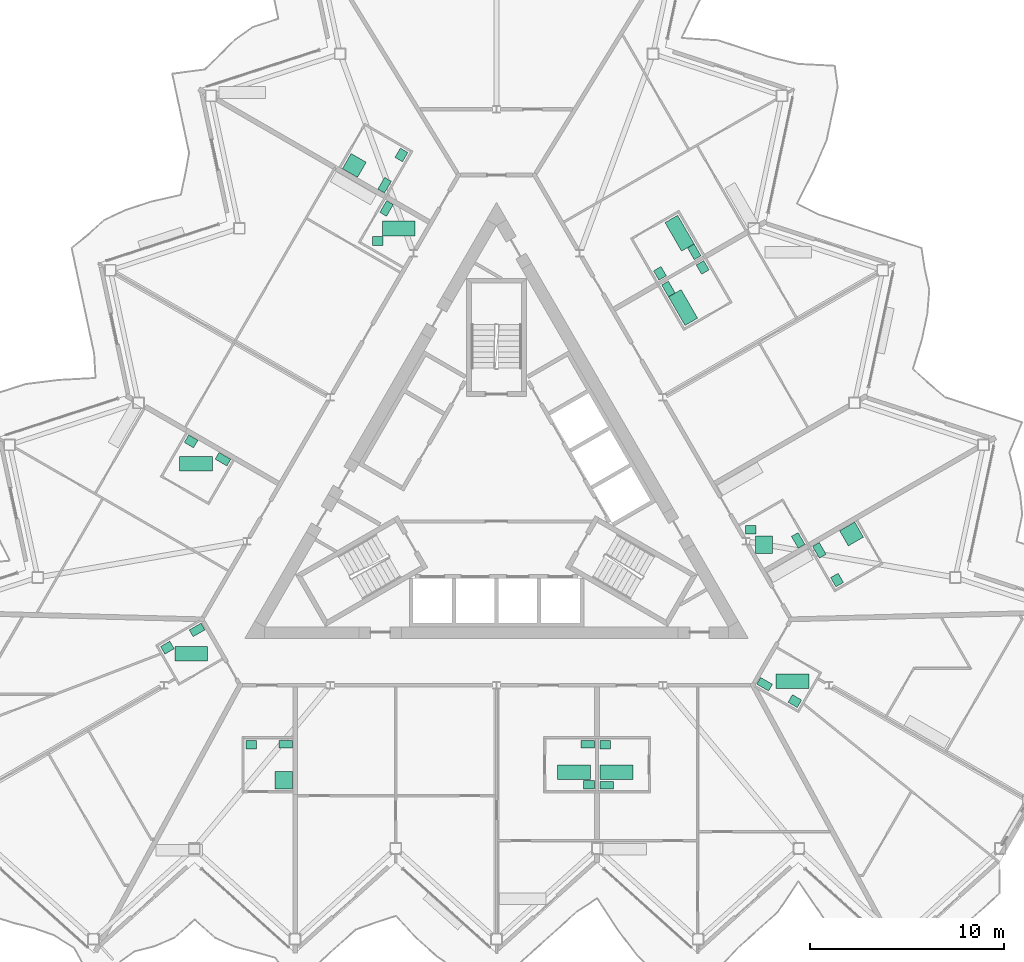
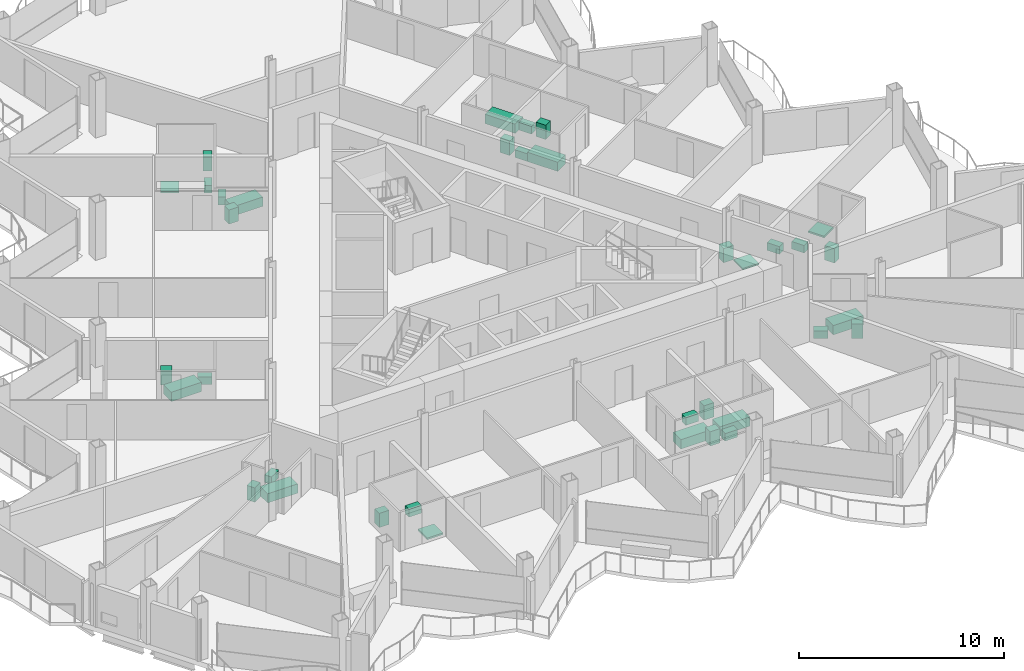
# One storey, part 27 of 28: 36 sanitary terminals.
"""IFC4 building model written with IfcOpenShell, lengths in metres."""

import ifcopenshell
import ifcopenshell.guid

model = None  # the IFC model being written
_history = None  # IfcOwnerHistory: only IFC2X3 demands one
_inside = {}  # id of a spatial element -> (the spatial element, [elements in it])
_under = {}  # id of a project, library or spatial element -> (it, [spatial elements below it])
_declared = {}  # id of a project -> (the project, [libraries it declares])
_typed = {}  # id of a type object -> (the type object, [elements of that type])
_made_of = {}  # id of a material, layer set ... -> (it, [elements and type objects made of it])


def new_model(schema):
    """Start an empty IFC model of exactly this schema.

    Asked for "IFC4X3", IfcOpenShell would pick the latest addendum, in which some entities
    have other attributes; the version numbers below select the first issue.
    IFC2X3 requires an IfcOwnerHistory on every rooted entity: one is made here for all.
    """
    global model, _history
    if schema == "IFC4X3":
        model = ifcopenshell.file(schema_version=(4, 3, 0, 0))
    else:
        model = ifcopenshell.file(schema=schema)
    _inside.clear()
    _under.clear()
    _declared.clear()
    _typed.clear()
    _made_of.clear()
    _history = None
    if model.schema == "IFC2X3":
        org = make("IfcOrganization", Name="unknown")
        user = make(
            "IfcPersonAndOrganization",
            ThePerson=make("IfcPerson", FamilyName="unknown"),
            TheOrganization=org,
        )
        app = make(
            "IfcApplication",
            ApplicationDeveloper=org,
            Version="unknown",
            ApplicationFullName="unknown",
            ApplicationIdentifier="unknown",
        )
        _history = make(
            "IfcOwnerHistory",
            OwningUser=user,
            OwningApplication=app,
            ChangeAction="ADDED",
            CreationDate=0,
        )
    return model


def make(cls, **values):
    """One entity of the class cls with the attributes given. An attribute that is None is left unset."""
    return model.create_entity(
        cls, **{name: value for name, value in values.items() if value is not None}
    )


def rooted(cls, **values):
    """An entity with a GlobalId (a new one), such as an element, a storey or a relation."""
    return make(cls, GlobalId=ifcopenshell.guid.new(), OwnerHistory=_history, **values)


def si_unit(unit_type, name, prefix=None):
    """IfcSIUnit, for example si_unit("LENGTHUNIT", "METRE", prefix="MILLI")."""
    return make("IfcSIUnit", UnitType=unit_type, Prefix=prefix, Name=name)


def assignment(units):
    """IfcUnitAssignment: the units of a project."""
    return None if units is None else make("IfcUnitAssignment", Units=units)


def point(xyz):
    """IfcCartesianPoint."""
    return None if xyz is None else make("IfcCartesianPoint", Coordinates=xyz)


def direction(xyz):
    """IfcDirection."""
    return None if xyz is None else make("IfcDirection", DirectionRatios=xyz)


def frame(location, z_axis=None, x_axis=None):
    """IfcAxis2Placement3D, a coordinate frame: its origin and axes. An axis left out is left unset."""
    return make(
        "IfcAxis2Placement3D",
        Location=point(location),
        Axis=direction(z_axis),
        RefDirection=direction(x_axis),
    )


def frame_2d(location, x_axis=None):
    """IfcAxis2Placement2D, a coordinate frame in the plane: its origin and x axis."""
    return make(
        "IfcAxis2Placement2D", Location=point(location), RefDirection=direction(x_axis)
    )


def origin():
    """The frame at (0, 0, 0) with its axes left unset."""
    return frame((0.0, 0.0, 0.0))


def origin_2d():
    """The frame at (0, 0) in the plane with its x axis left unset."""
    return frame_2d((0.0, 0.0))


def place(relative_to, where):
    """IfcLocalPlacement: puts the frame where relative to a parent placement (None: the world)."""
    return make(
        "IfcLocalPlacement", PlacementRelTo=relative_to, RelativePlacement=where
    )


def context(
    kind, dimensions, precision=None, world=None, true_north=None, identifier=None
):
    """IfcGeometricRepresentationContext, for example the 3D "Model" context."""
    return make(
        "IfcGeometricRepresentationContext",
        ContextIdentifier=identifier,
        ContextType=kind,
        CoordinateSpaceDimension=dimensions,
        Precision=precision,
        WorldCoordinateSystem=world,
        TrueNorth=true_north,
    )


def subcontext(parent, identifier, kind, view, scale=None):
    """IfcGeometricRepresentationSubContext, for example "Body" below "Model"."""
    return make(
        "IfcGeometricRepresentationSubContext",
        ContextIdentifier=identifier,
        ContextType=kind,
        ParentContext=parent,
        TargetScale=scale,
        TargetView=view,
    )


def project(units=None, contexts=None):
    """IfcProject with its units and contexts."""
    return rooted(
        "IfcProject",
        Name="project",
        RepresentationContexts=contexts,
        UnitsInContext=assignment(units),
    )


def spatial(cls, under=None, at=None, **own):
    """A site, building, storey or space (cls), placed at a placement, below another one or the project."""
    s = rooted(cls, ObjectPlacement=at, **own)
    if under is not None:
        _under.setdefault(under.id(), (under, []))[1].append(s)
    return s


def profile(cls, at=None, kind="AREA", **sizes):
    """A parametric profile (cls). Its sizes go by their IFC names, for example OverallWidth=200.0."""
    return make(cls, ProfileType=kind, Position=at, **sizes)


def rectangle(**sizes):
    """IfcRectangleProfileDef."""
    return profile("IfcRectangleProfileDef", **sizes)


def extrude(swept, where, along, depth):
    """IfcExtrudedAreaSolid: the profile swept, set in the frame where, extruded along a direction by depth."""
    return make(
        "IfcExtrudedAreaSolid",
        SweptArea=swept,
        Position=where,
        ExtrudedDirection=direction(along),
        Depth=depth,
    )


def shape(context_of_items, identifier, shape_type, items):
    """IfcShapeRepresentation: the items that make up one representation, for example the "Body"."""
    return make(
        "IfcShapeRepresentation",
        ContextOfItems=context_of_items,
        RepresentationIdentifier=identifier,
        RepresentationType=shape_type,
        Items=items,
    )


def material(Name=None, Category=None):
    """IfcMaterial."""
    return make("IfcMaterial", Name=Name, Category=Category)


def made_of(thing, what):
    """Note that an element or type object is made of a material, layer set ...; save() writes the relation."""
    if what is not None:
        _made_of.setdefault(what.id(), (what, []))[1].append(thing)
    return thing


def type_object(cls, material=None, **own):
    """A type object (cls), such as IfcWallType, which elements share."""
    return made_of(rooted(cls, **own), material)


def element(
    cls,
    number,
    at=None,
    inside=None,
    cuts=None,
    type_object=None,
    material=None,
    context=None,
    identifier="Body",
    shape_type=None,
    held_by="IfcProductDefinitionShape",
    body=None,
    shapes=None,
    **own,
):
    """One element of the class cls, such as IfcWall. Its Tag is "e" and its number.

    at: its placement. inside: the storey or other place that contains it. cuts: it is an
    opening in that element (IfcRelVoidsElement). A single representation is given by context,
    identifier, shape_type and body (its items); several are given by shapes. held_by: the class
    of the entity that holds the representations. save() writes the other relations.
    """
    e = rooted(cls, Tag="e%d" % number, ObjectPlacement=at, **own)
    if body is not None:
        shapes = [shape(context, identifier, shape_type, body)]
    if shapes is not None:
        e.Representation = make(held_by, Representations=shapes)
    if inside is not None:
        _inside.setdefault(inside.id(), (inside, []))[1].append(e)
    if cuts is not None:
        rooted(
            "IfcRelVoidsElement", RelatingBuildingElement=cuts, RelatedOpeningElement=e
        )
    if type_object is not None:
        _typed.setdefault(type_object.id(), (type_object, []))[1].append(e)
    return made_of(e, material)


def aggregate(whole, parts):
    """IfcRelAggregates: a whole, such as a stair, and the parts it consists of."""
    return rooted("IfcRelAggregates", RelatingObject=whole, RelatedObjects=parts)


def save(model, path):
    """Write the relations noted so far, then the file.

    IfcRelAggregates (storeys below a building ...), IfcRelContainedInSpatialStructure (elements
    in a storey), IfcRelDefinesByType, IfcRelAssociatesMaterial and IfcRelDeclares: one each for
    every whole, place, type object, material and project.
    """
    for whole, parts in _under.values():
        aggregate(whole, parts)
    for where, things in _inside.values():
        rooted(
            "IfcRelContainedInSpatialStructure",
            RelatedElements=things,
            RelatingStructure=where,
        )
    for kind, things in _typed.values():
        rooted("IfcRelDefinesByType", RelatedObjects=things, RelatingType=kind)
    for what, things in _made_of.values():
        rooted("IfcRelAssociatesMaterial", RelatedObjects=things, RelatingMaterial=what)
    for by, libraries in _declared.values():
        rooted("IfcRelDeclares", RelatingContext=by, RelatedDefinitions=libraries)
    model.write(path)


model = new_model("IFC4")

# Units and contexts
model_context = context("Model", 3, precision=1e-05, world=origin(), true_north=direction((0.0, 1.0)))
body_context = subcontext(model_context, "Body", "Model", "MODEL_VIEW")
ifc_project = project(units=[si_unit("LENGTHUNIT", "METRE"), si_unit("AREAUNIT", "SQUARE_METRE"), si_unit("VOLUMEUNIT", "CUBIC_METRE"), si_unit("PLANEANGLEUNIT", "RADIAN"), si_unit("MASSUNIT", "GRAM", prefix="KILO")], contexts=[model_context])

# Site, building, storey
site_placement = place(None, origin())
site = spatial("IfcSite", under=ifc_project, at=site_placement, CompositionType="ELEMENT")
building_placement = place(site_placement, origin())
building = spatial("IfcBuilding", under=site, at=building_placement, Name="Cormorant Prow Tower", CompositionType="ELEMENT")
storey_placement = place(building_placement, frame((0.0, 0.0, 308.60009765625)))
storey = spatial("IfcBuildingStorey", under=building, at=storey_placement, Name="L67", CompositionType="ELEMENT", Elevation=308.60009765625)

# Sanitary terminals
ifc_material_1 = material(Name="Vitreous china")
sanitary_terminal_type_1 = type_object("IfcSanitaryTerminalType", Name="Bath 1700x750", PredefinedType="BATH", material=ifc_material_1)
for number, where, z_axis, x_axis, name in (
    (1, (3.98583984375, -14.385498046875, 0.0), (0.0, 0.0, 1.0), (1.0, 0.0, 0.0), "Bath"),
    (2, (6.185791015625, -14.385498046875, 0.0), (0.0, 0.0, 1.0), (1.0, 0.0, 0.0), "Bath"),
    (3, (15.2607421875, -9.70068359375, 0.0), (0.0, 0.0, 1.0), (1.0, 0.0, 0.0), "Bath"),
    (4, (9.6240234375, 9.581787109375, 0.0), (0.0, 0.0, 1.0), (-0.5, 0.866025403784, 0.0), "Bath"),
    (5, (9.443359375, 13.414794921875, 0.0), (0.0, 0.0, 1.0), (0.5, -0.866025403784, 0.0), "Bath"),
    (6, (-5.0458984375, 13.660400390625, 0.0), (0.0, 0.0, 1.0), (1.0, 0.0, 0.0), "Bath"),
    (7, (-15.50732421875, 1.523681640625, 0.0), (0.0, 0.0, 1.0), (1.0, 0.0, 0.0), "Bath"),
    (8, (-15.75244140625, -8.29248046875, 0.0), (0.0, 0.0, 1.0), (1.0, 0.0, 0.0), "Bath"),
):
    element("IfcSanitaryTerminal", number, at=place(storey_placement, frame(where, z_axis=z_axis, x_axis=x_axis)), inside=storey, type_object=sanitary_terminal_type_1, Name=name, PredefinedType="BATH", context=body_context, shape_type="SweptSolid", body=[
        extrude(rectangle(XDim=1.699951171875, YDim=0.75, at=origin_2d()), origin(), (0.0, 0.0, 1.0), 0.550048828125),
    ])
ifc_material_2 = material(Name="Vitreous china")
sanitary_terminal_type_2 = type_object("IfcSanitaryTerminalType", Name="Shower tray 900x900", PredefinedType="SHOWER", material=ifc_material_2)
for number, where, z_axis, x_axis, name in (
    (9, (-10.976806640625, -14.810546875, -0.000244140625), (0.0, 0.0, 1.0), (-1.0, 0.0, 0.0), "Shower tray"),
    (10, (18.314697265625, -2.10107421875, -0.000244140625), (0.0, 0.0, 1.0), (0.5, -0.866025403784, 0.0), "Shower tray"),
    (11, (13.79931640625, -2.658447265625, -0.000244140625), (0.0, 0.0, 1.0), (1.0, 0.0, 0.0), "Shower tray"),
    (12, (-7.337890625, 16.91162109375, -0.000244140625), (0.0, 0.0, 1.0), (0.5, 0.866025403784, 0.0), "Shower tray"),
):
    element("IfcSanitaryTerminal", number, at=place(storey_placement, frame(where, z_axis=z_axis, x_axis=x_axis)), inside=storey, type_object=sanitary_terminal_type_2, Name=name, PredefinedType="SHOWER", context=body_context, shape_type="SweptSolid", body=[
        extrude(rectangle(XDim=0.89990234375, YDim=0.89990234375, at=origin_2d()), origin(), (0.0, 0.0, 1.0), 0.10009765625),
    ])
ifc_material_3 = material(Name="Vitreous china")
sanitary_terminal_type_3 = type_object("IfcSanitaryTerminalType", Name="Wash basin 550x450", PredefinedType="WASHHANDBASIN", material=ifc_material_3)
for number, where, z_axis, x_axis, name in (
    (13, (-12.661865234375, -12.9755859375, -0.000244140625), (0.0, 0.0, 1.0), (1.0, 0.0, 0.0), "Wash basin"),
    (14, (4.77099609375, -15.03564453125, -0.000244140625), (0.0, 0.0, 1.0), (-1.0, 0.0, 0.0), "Wash basin"),
    (15, (5.61083984375, -12.9755859375, -0.000244140625), (0.0, 0.0, 1.0), (1.0, 0.0, 0.0), "Wash basin"),
    (16, (15.390380859375, -10.72509765625, -0.000244140625), (0.0, 0.0, 1.0), (-0.866025403784, 0.5, 0.0), "Wash basin"),
    (17, (17.568115234375, -4.477783203125, -0.000244140625), (0.0, 0.0, 1.0), (-0.5, 0.866025403784, 0.0), "Wash basin"),
    (18, (13.124267578125, -1.88330078125, -0.000244140625), (0.0, 0.0, 1.0), (1.0, 0.0, 0.0), "Wash basin"),
    (19, (10.6357421875, 11.6494140625, -0.000244140625), (0.0, 0.0, 1.0), (0.5, -0.866025403784, 0.0), "Wash basin"),
    (20, (8.431640625, 11.346923828125, -0.000244140625), (0.0, 0.0, 1.0), (-0.5, 0.866025403784, 0.0), "Wash basin"),
    (21, (-4.90625, 17.453369140625, -0.000244140625), (0.0, 0.0, 1.0), (-0.5, -0.866025403784, 0.0), "Wash basin"),
    (22, (-6.12109375, 13.01025390625, -0.000244140625), (0.0, 0.0, 1.0), (1.0, 0.0, 0.0), "Wash basin"),
    (23, (-15.75830078125, 2.677001953125, -0.000244140625), (0.0, 0.0, 1.0), (0.866025403784, -0.5, 0.0), "Wash basin"),
    (24, (-16.9833984375, -7.966064453125, -0.000244140625), (0.0, 0.0, 1.0), (0.866025403784, 0.5, 0.0), "Wash basin"),
):
    element("IfcSanitaryTerminal", number, at=place(storey_placement, frame(where, z_axis=z_axis, x_axis=x_axis)), inside=storey, type_object=sanitary_terminal_type_3, Name=name, PredefinedType="WASHHANDBASIN", context=body_context, shape_type="SweptSolid", body=[
        extrude(rectangle(XDim=0.550048828125, YDim=0.449951171875, at=origin_2d()), origin(), (0.0, 0.0, 1.0), 0.85009765625),
    ])
ifc_material_4 = material(Name="Vitreous china")
sanitary_terminal_type_4 = type_object("IfcSanitaryTerminalType", Name="Water closet 400x700", PredefinedType="WCSEAT", material=ifc_material_4)
for number, where, z_axis, x_axis, name in (
    (25, (-10.876953125, -12.95068359375, 0.0), (0.0, 0.0, 1.0), (0.0, -1.0, 0.0), "Water closet"),
    (26, (4.69580078125, -12.95068359375, 0.0), (0.0, 0.0, 1.0), (0.0, -1.0, 0.0), "Water closet"),
    (27, (5.685791015625, -15.060546875, 0.0), (0.0, 0.0, 1.0), (0.0, 1.0, 0.0), "Water closet"),
    (28, (13.83203125, -9.854248046875, 0.0), (0.0, 0.0, 1.0), (0.5, 0.866025403784, 0.0), "Water closet"),
    (29, (16.65380859375, -2.9443359375, 0.0), (0.0, 0.0, 1.0), (0.866025403784, 0.5, 0.0), "Water closet"),
    (30, (15.561279296875, -2.431884765625, 0.0), (0.0, 0.0, 1.0), (-0.866025403784, -0.5, 0.0), "Water closet"),
    (31, (8.867431640625, 10.5419921875, 0.0), (0.0, 0.0, 1.0), (0.866025403784, 0.5, 0.0), "Water closet"),
    (32, (10.199951171875, 12.454345703125, 0.0), (0.0, 0.0, 1.0), (-0.866025403784, -0.5, 0.0), "Water closet"),
    (33, (-5.777099609375, 15.89501953125, 0.0), (0.0, 0.0, 1.0), (-0.866025403784, 0.5, 0.0), "Water closet"),
    (34, (-5.674560546875, 14.692626953125, 0.0), (0.0, 0.0, 1.0), (0.866025403784, -0.5, 0.0), "Water closet"),
    (35, (-14.11328125, 1.756103515625, 0.0), (0.0, 0.0, 1.0), (-0.5, -0.866025403784, 0.0), "Water closet"),
    (36, (-15.4501953125, -7.0517578125, 0.0), (0.0, 0.0, 1.0), (0.5, -0.866025403784, 0.0), "Water closet"),
):
    element("IfcSanitaryTerminal", number, at=place(storey_placement, frame(where, z_axis=z_axis, x_axis=x_axis)), inside=storey, type_object=sanitary_terminal_type_4, Name=name, PredefinedType="WCSEAT", context=body_context, shape_type="SweptSolid", body=[
        extrude(rectangle(XDim=0.39990234375, YDim=0.699951171875, at=origin_2d()), origin(), (0.0, 0.0, 1.0), 0.449951171875),
    ])

save(model, "model.ifc")
